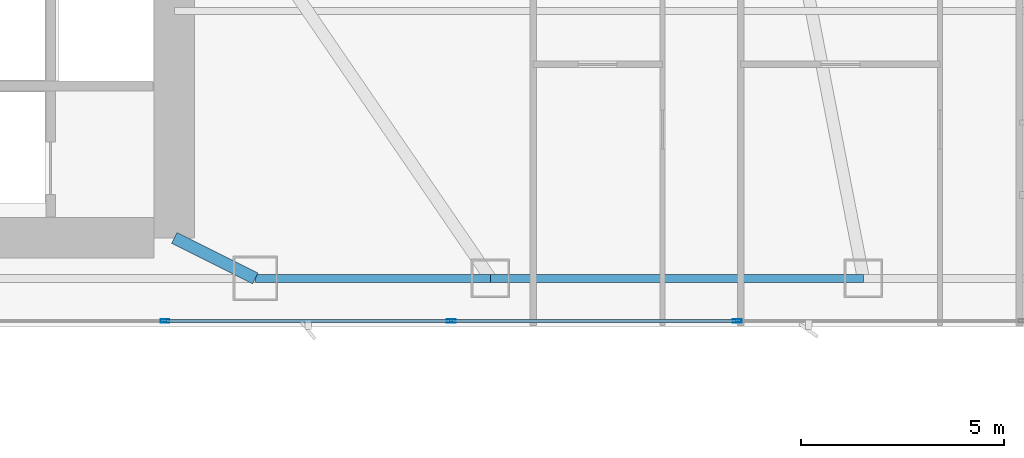
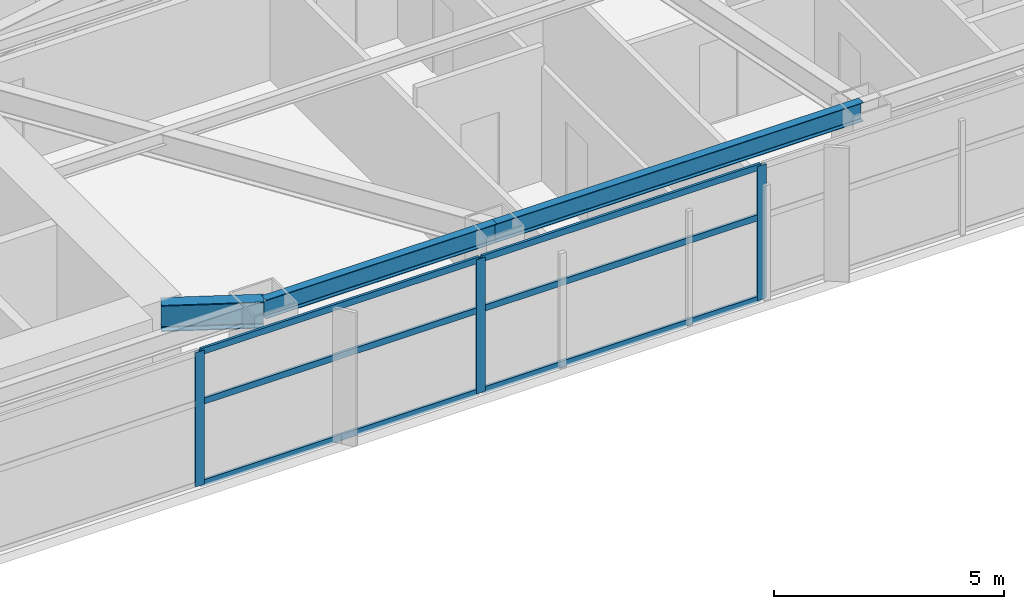
# One storey, part 12 of 29: 9 members, 3 beams, 1 element without a shape of its own.
"""IFC4 building model written with IfcOpenShell, lengths in metres."""

from ifc_helpers import new_model, si_unit, direction, frame, origin, origin_2d, place, context, subcontext, project, spatial, hollow_rectangle, i_section, extrude, material, layer, layer_set, material_profile, profile_set, type_object, element, aggregate, save


model = new_model("IFC4")

# Units and contexts
model_context = context("Model", 3, precision=1e-05, world=origin(), true_north=direction((0.0, 1.0)))
body_context = subcontext(model_context, "Body", "Model", "MODEL_VIEW")
ifc_project = project(units=[si_unit("LENGTHUNIT", "METRE"), si_unit("AREAUNIT", "SQUARE_METRE"), si_unit("VOLUMEUNIT", "CUBIC_METRE"), si_unit("PLANEANGLEUNIT", "RADIAN"), si_unit("MASSUNIT", "GRAM", prefix="KILO")], contexts=[model_context])

# Site, building, storey
site_placement = place(None, origin())
site = spatial("IfcSite", under=ifc_project, at=site_placement, CompositionType="ELEMENT")
building_placement = place(site_placement, origin())
building = spatial("IfcBuilding", under=site, at=building_placement, Name="Calvorn Quay Hotel", CompositionType="ELEMENT")
storey_placement = place(building_placement, frame((0.0, 0.0, 85.0)))
storey = spatial("IfcBuildingStorey", under=building, at=storey_placement, Name="L20", CompositionType="ELEMENT", Elevation=85.0)

# Beams
ifc_material_1 = material(Name="Steel Q390GJC", Category="steel")
ifc_material_profile_1 = material_profile(ifc_material_1, i_section(OverallWidth=0.300048828125, OverallDepth=0.699951171875, WebThickness=0.012939453125, FlangeThickness=0.02392578125, FilletRadius=0.02392578125, at=origin_2d()), Name="HN700x300x13x24")
ifc_profile_set_1 = profile_set([ifc_material_profile_1], Name="Steel Q390GJC")
beam_type_1 = type_object("IfcBeamType", Name="BM-GIRD-MAIN", PredefinedType="BEAM", material=ifc_profile_set_1)
beam_1_placement = place(storey_placement, frame((34.39990234375, 3.60009765625, 3.18994140625), z_axis=(-0.894427191, 0.4472135955, 0.0), x_axis=(-0.4472135955, -0.894427191, 0.0)))
element("IfcBeam", 1, at=beam_1_placement, inside=storey, type_object=beam_type_1, Name="Beam BG-L20-S3", PredefinedType="BEAM", context=body_context, shape_type="SweptSolid", body=[
    extrude(i_section(OverallWidth=0.300048828125, OverallDepth=0.699951171875, WebThickness=0.012939453125, FlangeThickness=0.02392578125, FilletRadius=0.02392578125, at=origin_2d()), origin(), (0.0, 0.0, 1.0), 2.236083984375),
])
ifc_material_2 = material(Name="Steel Q355B", Category="steel")
ifc_material_profile_2 = material_profile(ifc_material_2, i_section(OverallWidth=0.199951171875, OverallDepth=0.5, WebThickness=0.010009765625, FlangeThickness=0.01611328125, FilletRadius=0.01611328125, at=origin_2d()), Name="HN500x200x10x16")
ifc_profile_set_2 = profile_set([ifc_material_profile_2], Name="Steel Q355B")
beam_type_2 = type_object("IfcBeamType", Name="BM-SPANDREL-Z1", PredefinedType="SPANDREL", material=ifc_profile_set_2)
beam_2_placement = place(storey_placement, frame((34.39990234375, 3.60009765625, 3.2900390625), z_axis=(1.0, 0.0, 0.0), x_axis=(0.0, 1.0, 0.0)))
element("IfcBeam", 2, at=beam_2_placement, inside=storey, type_object=beam_type_2, Name="Beam BSP-L20-S4", PredefinedType="SPANDREL", context=body_context, shape_type="SweptSolid", body=[
    extrude(i_section(OverallWidth=0.199951171875, OverallDepth=0.5, WebThickness=0.010009765625, FlangeThickness=0.01611328125, FilletRadius=0.01611328125, at=origin_2d()), origin(), (0.0, 0.0, 1.0), 5.800048828125),
])
beam_3_placement = place(storey_placement, frame((40.199951171875, 3.60009765625, 3.2900390625), z_axis=(1.0, 0.0, 0.0), x_axis=(0.0, 1.0, 0.0)))
element("IfcBeam", 3, at=beam_3_placement, inside=storey, type_object=beam_type_2, Name="Beam BSP-L20-S5", PredefinedType="SPANDREL", context=body_context, shape_type="SweptSolid", body=[
    extrude(i_section(OverallWidth=0.199951171875, OverallDepth=0.5, WebThickness=0.010009765625, FlangeThickness=0.01611328125, FilletRadius=0.01611328125, at=origin_2d()), origin(), (0.0, 0.0, 1.0), 9.199951171875),
])

# Curtain wall, members
ifc_material_3 = material(Name="Pale Anodised Aluminium and Low-E Glass", Category="aluminium")
ifc_layer = layer(ifc_material_3, 0.219970703125)
ifc_layer_set = layer_set([ifc_layer], Name="CW-SYS-Z1")
curtain_wall_type = type_object("IfcCurtainWallType", Name="CW-SYS-Z1", PredefinedType="NOTDEFINED", material=ifc_layer_set)
curtain_wall_placement = place(storey_placement, origin())
curtain_wall = element("IfcCurtainWall", 4, at=curtain_wall_placement, inside=storey, type_object=curtain_wall_type, Name="Tower South Waterfront Curtain Wall (L20)", PredefinedType="NOTDEFINED")
ifc_material_4 = material(Name="Pale Anodised Aluminium 6063-T6", Category="aluminium")
ifc_material_profile_3 = material_profile(ifc_material_4, hollow_rectangle(XDim=0.074951171875, YDim=0.219970703125, WallThickness=0.00439453125, at=origin_2d()), Name="ALU-M220x75x4.5")
ifc_profile_set_3 = profile_set([ifc_material_profile_3], Name="Pale Anodised Aluminium 6063-T6")
member_type_1 = type_object("IfcMemberType", Name="CW-SYS-Z1-MUL", PredefinedType="MULLION", material=ifc_profile_set_3)
member_1_placement = place(storey_placement, frame((32.17138671875, 2.550048828125, 0.0), z_axis=(0.0, 0.0, 1.0), x_axis=(0.0, 1.0, 0.0)))
member_1 = element("IfcMember", 5, at=member_1_placement, type_object=member_type_1, Name="CW-L20-S mullion 4", PredefinedType="MULLION", context=body_context, shape_type="SweptSolid", body=[
    extrude(hollow_rectangle(XDim=0.074951171875, YDim=0.219970703125, WallThickness=0.00439453125, at=origin_2d()), origin(), (0.0, 0.0, 1.0), 3.56005859375),
])
member_2_placement = place(storey_placement, frame((39.228515625, 2.550048828125, 0.0), z_axis=(0.0, 0.0, 1.0), x_axis=(0.0, 1.0, 0.0)))
member_2 = element("IfcMember", 6, at=member_2_placement, type_object=member_type_1, Name="CW-L20-S mullion 5", PredefinedType="MULLION", context=body_context, shape_type="SweptSolid", body=[
    extrude(hollow_rectangle(XDim=0.074951171875, YDim=0.219970703125, WallThickness=0.00439453125, at=origin_2d()), origin(), (0.0, 0.0, 1.0), 3.56005859375),
])
member_3_placement = place(storey_placement, frame((46.28564453125, 2.550048828125, 0.0), z_axis=(0.0, 0.0, 1.0), x_axis=(0.0, 1.0, 0.0)))
member_3 = element("IfcMember", 7, at=member_3_placement, type_object=member_type_1, Name="CW-L20-S mullion 6", PredefinedType="MULLION", context=body_context, shape_type="SweptSolid", body=[
    extrude(hollow_rectangle(XDim=0.074951171875, YDim=0.219970703125, WallThickness=0.00439453125, at=origin_2d()), origin(), (0.0, 0.0, 1.0), 3.56005859375),
])
ifc_material_5 = material(Name="Pale Anodised Aluminium 6063-T6", Category="aluminium")
ifc_material_profile_4 = material_profile(ifc_material_5, hollow_rectangle(XDim=0.06494140625, YDim=0.1650390625, WallThickness=0.00341796875, at=origin_2d()), Name="ALU-T165x65x3.5")
ifc_profile_set_4 = profile_set([ifc_material_profile_4], Name="Pale Anodised Aluminium 6063-T6")
member_type_2 = type_object("IfcMemberType", Name="CW-SYS-Z1-TRN", PredefinedType="USERDEFINED", material=ifc_profile_set_4)
member_4_placement = place(storey_placement, frame((32.201416015625, 2.550048828125, 0.030029296875), z_axis=(1.0, 0.0, 0.0), x_axis=(0.0, 1.0, 0.0)))
member_4 = element("IfcMember", 8, at=member_4_placement, type_object=member_type_2, Name="CW-L20-S transom 4.1", ObjectType="TRANSOM", PredefinedType="USERDEFINED", context=body_context, shape_type="SweptSolid", body=[
    extrude(hollow_rectangle(XDim=0.06494140625, YDim=0.1650390625, WallThickness=0.00341796875, at=origin_2d()), origin(), (0.0, 0.0, 1.0), 6.9970703125),
])
member_5_placement = place(storey_placement, frame((32.201416015625, 2.550048828125, 2.199951171875), z_axis=(1.0, 0.0, 0.0), x_axis=(0.0, 1.0, 0.0)))
member_5 = element("IfcMember", 9, at=member_5_placement, type_object=member_type_2, Name="CW-L20-S transom 4.2", ObjectType="TRANSOM", PredefinedType="USERDEFINED", context=body_context, shape_type="SweptSolid", body=[
    extrude(hollow_rectangle(XDim=0.06494140625, YDim=0.1650390625, WallThickness=0.00341796875, at=origin_2d()), origin(), (0.0, 0.0, 1.0), 6.9970703125),
])
member_6_placement = place(storey_placement, frame((32.201416015625, 2.550048828125, 3.530029296875), z_axis=(1.0, 0.0, 0.0), x_axis=(0.0, 1.0, 0.0)))
member_6 = element("IfcMember", 10, at=member_6_placement, type_object=member_type_2, Name="CW-L20-S transom 4.3", ObjectType="TRANSOM", PredefinedType="USERDEFINED", context=body_context, shape_type="SweptSolid", body=[
    extrude(hollow_rectangle(XDim=0.06494140625, YDim=0.1650390625, WallThickness=0.00341796875, at=origin_2d()), origin(), (0.0, 0.0, 1.0), 6.9970703125),
])
member_7_placement = place(storey_placement, frame((39.258544921875, 2.550048828125, 0.030029296875), z_axis=(1.0, 0.0, 0.0), x_axis=(0.0, 1.0, 0.0)))
member_7 = element("IfcMember", 11, at=member_7_placement, type_object=member_type_2, Name="CW-L20-S transom 5.1", ObjectType="TRANSOM", PredefinedType="USERDEFINED", context=body_context, shape_type="SweptSolid", body=[
    extrude(hollow_rectangle(XDim=0.06494140625, YDim=0.1650390625, WallThickness=0.00341796875, at=origin_2d()), origin(), (0.0, 0.0, 1.0), 6.9970703125),
])
member_8_placement = place(storey_placement, frame((39.258544921875, 2.550048828125, 2.199951171875), z_axis=(1.0, 0.0, 0.0), x_axis=(0.0, 1.0, 0.0)))
member_8 = element("IfcMember", 12, at=member_8_placement, type_object=member_type_2, Name="CW-L20-S transom 5.2", ObjectType="TRANSOM", PredefinedType="USERDEFINED", context=body_context, shape_type="SweptSolid", body=[
    extrude(hollow_rectangle(XDim=0.06494140625, YDim=0.1650390625, WallThickness=0.00341796875, at=origin_2d()), origin(), (0.0, 0.0, 1.0), 6.9970703125),
])
member_9_placement = place(storey_placement, frame((39.258544921875, 2.550048828125, 3.530029296875), z_axis=(1.0, 0.0, 0.0), x_axis=(0.0, 1.0, 0.0)))
member_9 = element("IfcMember", 13, at=member_9_placement, type_object=member_type_2, Name="CW-L20-S transom 5.3", ObjectType="TRANSOM", PredefinedType="USERDEFINED", context=body_context, shape_type="SweptSolid", body=[
    extrude(hollow_rectangle(XDim=0.06494140625, YDim=0.1650390625, WallThickness=0.00341796875, at=origin_2d()), origin(), (0.0, 0.0, 1.0), 6.9970703125),
])
aggregate(curtain_wall, [member_1, member_2, member_3, member_4, member_5, member_6, member_7, member_8, member_9])

save(model, "model.ifc")
